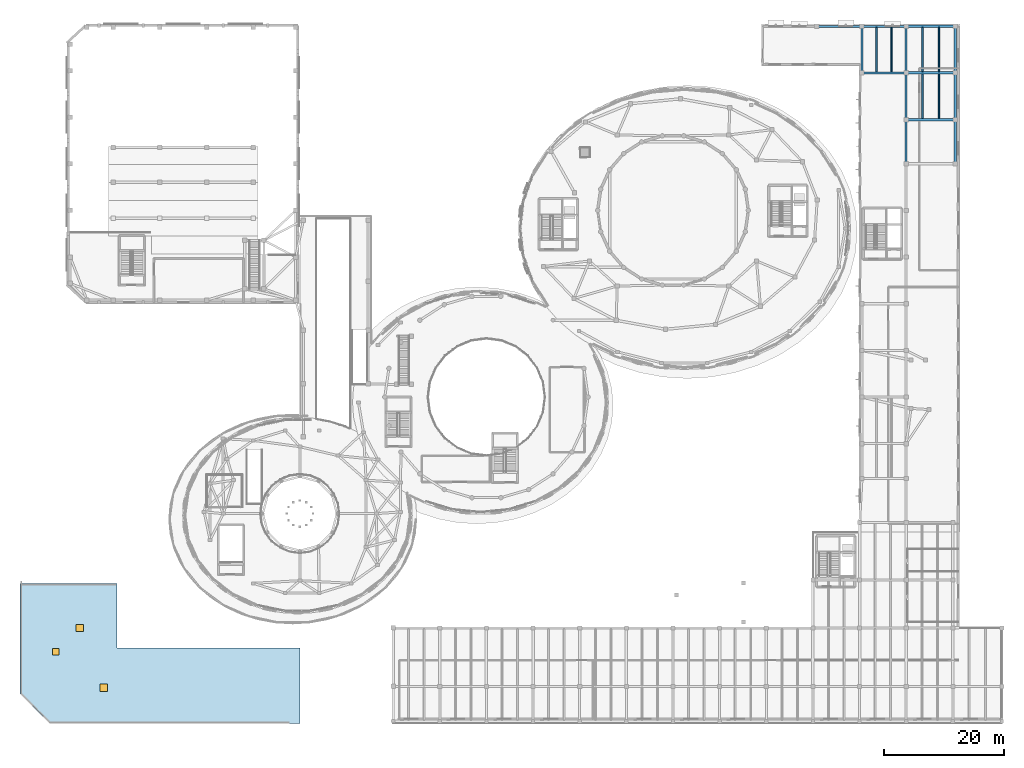
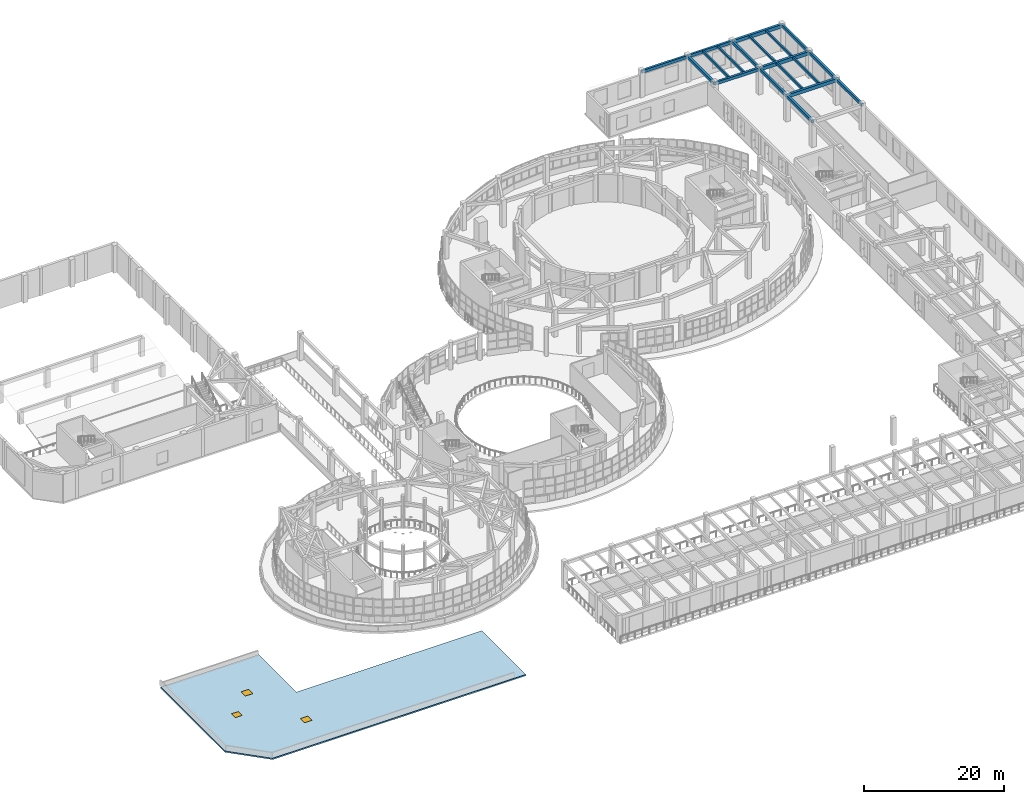
# One storey, part 55 of 98: 19 beams, 2 windows, 1 door, 1 slab, 3 openings.
"""IFC4 building model written with IfcOpenShell, lengths in metres."""

from ifc_helpers import new_model, si_unit, direction, frame, origin, origin_2d, place, context, subcontext, project, spatial, polyline, rectangle, outline, extrude, material, layer, layer_set, material_profile, profile_set, type_object, element, fill, save


model = new_model("IFC4")

# Units and contexts
model_context = context("Model", 3, precision=1e-05, world=origin(), true_north=direction((0.0, 1.0)))
body_context = subcontext(model_context, "Body", "Model", "MODEL_VIEW")
ifc_project = project(units=[si_unit("LENGTHUNIT", "METRE"), si_unit("AREAUNIT", "SQUARE_METRE"), si_unit("VOLUMEUNIT", "CUBIC_METRE"), si_unit("PLANEANGLEUNIT", "RADIAN"), si_unit("MASSUNIT", "GRAM", prefix="KILO")], contexts=[model_context])

# Site, building, storey
site_placement = place(None, origin())
site = spatial("IfcSite", under=ifc_project, at=site_placement, CompositionType="ELEMENT")
building_placement = place(site_placement, origin())
building = spatial("IfcBuilding", under=site, at=building_placement, Name="Pelvatis Terrace Science Centre", CompositionType="ELEMENT")
storey_placement = place(building_placement, frame((0.0, 0.0, 5.39990234375)))
storey = spatial("IfcBuildingStorey", under=building, at=storey_placement, Name="L01", CompositionType="ELEMENT", Elevation=5.39990234375)

# Beams
ifc_material_1 = material(Name="Concrete C35/45", Category="concrete")
ifc_material_profile_1 = material_profile(ifc_material_1, rectangle(XDim=0.340087890625, YDim=0.52001953125, at=origin_2d()), Name="RC-BM 340x520")
ifc_profile_set_1 = profile_set([ifc_material_profile_1], Name="Concrete C35/45")
beam_type_1 = type_object("IfcBeamType", Name="BM-RC-340x520", PredefinedType="BEAM", material=ifc_profile_set_1)
beam_1_placement = place(storey_placement, frame((133.199951171875, 116.60009765625, 4.280029296875), z_axis=(1.0, 0.0, 0.0), x_axis=(0.0, 1.0, 0.0)))
element("IfcBeam", 1, at=beam_1_placement, inside=storey, type_object=beam_type_1, Name="Beam BM-L01-2798", PredefinedType="BEAM", context=body_context, shape_type="SweptSolid", body=[
    extrude(rectangle(XDim=0.340087890625, YDim=0.52001953125, at=origin_2d()), origin(), (0.0, 0.0, 1.0), 7.60009765625),
])
beam_2_placement = place(storey_placement, frame((140.800048828125, 108.800048828125, 4.280029296875), z_axis=(0.0, 1.0, 0.0), x_axis=(-1.0, 0.0, 0.0)))
element("IfcBeam", 2, at=beam_2_placement, inside=storey, type_object=beam_type_1, Name="Beam BM-L01-2810", PredefinedType="BEAM", context=body_context, shape_type="SweptSolid", body=[
    extrude(rectangle(XDim=0.340087890625, YDim=0.52001953125, at=origin_2d()), origin(), (0.0, 0.0, 1.0), 7.800048828125),
])
for number, where, z_axis, x_axis, name in (
    (3, (140.800048828125, 108.800048828125, 4.280029296875), (1.0, 0.0, 0.0), (0.0, 1.0, 0.0), "Beam BM-L01-2811"),
    (4, (140.800048828125, 116.60009765625, 4.280029296875), (1.0, 0.0, 0.0), (0.0, 1.0, 0.0), "Beam BM-L01-2812"),
    (5, (148.199951171875, 93.60009765625, 4.280029296875), (0.0, 1.0, 0.0), (-1.0, 0.0, 0.0), "Beam BM-L01-2823"),
):
    element("IfcBeam", number, at=place(storey_placement, frame(where, z_axis=z_axis, x_axis=x_axis)), inside=storey, type_object=beam_type_1, Name=name, PredefinedType="BEAM", context=body_context, shape_type="SweptSolid", body=[
        extrude(rectangle(XDim=0.340087890625, YDim=0.52001953125, at=origin_2d()), origin(), (0.0, 0.0, 1.0), 7.39990234375),
    ])
for number, where, z_axis, x_axis, name in (
    (6, (148.199951171875, 101.0, 4.280029296875), (0.0, 1.0, 0.0), (-1.0, 0.0, 0.0), "Beam BM-L01-2825"),
    (7, (148.199951171875, 108.800048828125, 4.280029296875), (0.0, 1.0, 0.0), (-1.0, 0.0, 0.0), "Beam BM-L01-2827"),
):
    element("IfcBeam", number, at=place(storey_placement, frame(where, z_axis=z_axis, x_axis=x_axis)), inside=storey, type_object=beam_type_1, Name=name, PredefinedType="BEAM", context=body_context, shape_type="SweptSolid", body=[
        extrude(rectangle(XDim=0.340087890625, YDim=0.52001953125, at=origin_2d()), origin(), (0.0, 0.0, 1.0), 7.800048828125),
    ])
beam_3_placement = place(storey_placement, frame((156.39990234375, 93.60009765625, 4.280029296875), z_axis=(0.0, 1.0, 0.0), x_axis=(-1.0, 0.0, 0.0)))
element("IfcBeam", 8, at=beam_3_placement, inside=storey, type_object=beam_type_1, Name="Beam BM-L01-2830", PredefinedType="BEAM", context=body_context, shape_type="SweptSolid", body=[
    extrude(rectangle(XDim=0.340087890625, YDim=0.52001953125, at=origin_2d()), origin(), (0.0, 0.0, 1.0), 7.39990234375),
])
for number, where, z_axis, x_axis, name in (
    (9, (156.39990234375, 101.0, 4.280029296875), (0.0, 1.0, 0.0), (-1.0, 0.0, 0.0), "Beam BM-L01-2831"),
    (10, (156.39990234375, 108.800048828125, 4.280029296875), (0.0, 1.0, 0.0), (-1.0, 0.0, 0.0), "Beam BM-L01-2832"),
):
    element("IfcBeam", number, at=place(storey_placement, frame(where, z_axis=z_axis, x_axis=x_axis)), inside=storey, type_object=beam_type_1, Name=name, PredefinedType="BEAM", context=body_context, shape_type="SweptSolid", body=[
        extrude(rectangle(XDim=0.340087890625, YDim=0.52001953125, at=origin_2d()), origin(), (0.0, 0.0, 1.0), 7.800048828125),
    ])
ifc_material_2 = material(Name="Concrete C35/45", Category="concrete")
ifc_material_profile_2 = material_profile(ifc_material_2, rectangle(XDim=0.39990234375, YDim=0.60009765625, at=origin_2d()), Name="RC-BM 400x600")
ifc_profile_set_2 = profile_set([ifc_material_profile_2], Name="Concrete C35/45")
beam_type_2 = type_object("IfcBeamType", Name="BM-RC-400x600", PredefinedType="BEAM", material=ifc_profile_set_2)
for number, where, z_axis, x_axis, name in (
    (11, (148.199951171875, 101.0, 4.239990234375), (1.0, 0.0, 0.0), (0.0, 1.0, 0.0), "Beam BM-L01-2826"),
    (12, (148.199951171875, 108.800048828125, 4.239990234375), (1.0, 0.0, 0.0), (0.0, 1.0, 0.0), "Beam BM-L01-2828"),
    (13, (148.199951171875, 116.60009765625, 4.239990234375), (1.0, 0.0, 0.0), (0.0, 1.0, 0.0), "Beam BM-L01-2829"),
):
    element("IfcBeam", number, at=place(storey_placement, frame(where, z_axis=z_axis, x_axis=x_axis)), inside=storey, type_object=beam_type_2, Name=name, PredefinedType="BEAM", context=body_context, shape_type="SweptSolid", body=[
        extrude(rectangle(XDim=0.39990234375, YDim=0.60009765625, at=origin_2d()), origin(), (0.0, 0.0, 1.0), 8.199951171875),
    ])
ifc_material_3 = material(Name="Concrete C35/45", Category="concrete")
ifc_material_profile_3 = material_profile(ifc_material_3, rectangle(XDim=0.25, YDim=0.39990234375, at=origin_2d()), Name="RC-JST 250x400")
ifc_profile_set_3 = profile_set([ifc_material_profile_3], Name="Concrete C35/45")
beam_type_3 = type_object("IfcBeamType", Name="JST-RC-250x400", PredefinedType="JOIST", material=ifc_profile_set_3)
for number, where, z_axis, x_axis, name in (
    (14, (150.933349609375, 101.199951171875, 4.340087890625), (0.0, 1.0, 0.0), (-1.0, 0.0, 0.0), "Secondary floor joist J-L01-2145"),
    (15, (153.666748046875, 101.199951171875, 4.340087890625), (0.0, 1.0, 0.0), (-1.0, 0.0, 0.0), "Secondary floor joist J-L01-2146"),
):
    element("IfcBeam", number, at=place(storey_placement, frame(where, z_axis=z_axis, x_axis=x_axis)), inside=storey, type_object=beam_type_3, Name=name, PredefinedType="JOIST", context=body_context, shape_type="SweptSolid", body=[
        extrude(rectangle(XDim=0.25, YDim=0.39990234375, at=origin_2d()), origin(), (0.0, 0.0, 1.0), 7.400146484375),
    ])
for number, where, z_axis, x_axis, name in (
    (16, (143.2666015625, 108.969970703125, 4.340087890625), (0.0, 1.0, 0.0), (-1.0, 0.0, 0.0), "Secondary floor joist J-L01-2147"),
    (17, (145.7333984375, 108.969970703125, 4.340087890625), (0.0, 1.0, 0.0), (-1.0, 0.0, 0.0), "Secondary floor joist J-L01-2148"),
):
    element("IfcBeam", number, at=place(storey_placement, frame(where, z_axis=z_axis, x_axis=x_axis)), inside=storey, type_object=beam_type_3, Name=name, PredefinedType="JOIST", context=body_context, shape_type="SweptSolid", body=[
        extrude(rectangle(XDim=0.25, YDim=0.39990234375, at=origin_2d()), origin(), (0.0, 0.0, 1.0), 7.4599609375),
    ])
for number, where, z_axis, x_axis, name in (
    (18, (150.933349609375, 109.0, 4.340087890625), (0.0, 1.0, 0.0), (-1.0, 0.0, 0.0), "Secondary floor joist J-L01-2149"),
    (19, (153.666748046875, 109.0, 4.340087890625), (0.0, 1.0, 0.0), (-1.0, 0.0, 0.0), "Secondary floor joist J-L01-2150"),
):
    element("IfcBeam", number, at=place(storey_placement, frame(where, z_axis=z_axis, x_axis=x_axis)), inside=storey, type_object=beam_type_3, Name=name, PredefinedType="JOIST", context=body_context, shape_type="SweptSolid", body=[
        extrude(rectangle(XDim=0.25, YDim=0.39990234375, at=origin_2d()), origin(), (0.0, 0.0, 1.0), 7.39990234375),
    ])

# Slab, openings, windows, door
ifc_material_4 = material(Name="Concrete C35/45", Category="concrete")
ifc_layer = layer(ifc_material_4, 0.236083984375)
ifc_layer_set = layer_set([ifc_layer], Name="Concrete C35/45")
slab_type = type_object("IfcSlabType", Name="SLB-ROOF-236", PredefinedType="ROOF", material=ifc_layer_set)
slab_placement = place(storey_placement, frame((0.0, 0.0, -0.23583984375)))
slab = element("IfcSlab", 20, at=slab_placement, inside=storey, type_object=slab_type, Name="L01 Classical granite entrance portico roof slab", PredefinedType="ROOF", context=body_context, shape_type="SweptSolid", body=[
    extrude(outline(polyline([(0.0, 5.0), (0.0, 23.39990234375), (16.199951171875, 23.39990234375), (16.199951171875, 12.60009765625), (46.800048828125, 12.60009765625), (46.800048828125, 0.0), (5.0, 0.0), (0.0, 5.0)])), origin(), (0.0, 0.0, 1.0), 0.23583984375),
])
opening_1_placement = place(slab_placement, frame((14.0, 6.0, 0.0)))
opening_1 = element("IfcOpeningElement", 21, at=opening_1_placement, cuts=slab, Name="Opening LDM-05", PredefinedType="OPENING", context=body_context, shape_type="SweptSolid", body=[
    extrude(rectangle(XDim=1.199951171875, YDim=1.199951171875, at=origin_2d()), origin(), (0.0, 0.0, 1.0), 0.23583984375),
])
opening_2_placement = place(slab_placement, frame((10.0, 16.0, 0.0)))
opening_2 = element("IfcOpeningElement", 22, at=opening_2_placement, cuts=slab, Name="Opening LDM-06", PredefinedType="OPENING", context=body_context, shape_type="SweptSolid", body=[
    extrude(rectangle(XDim=1.199951171875, YDim=1.199951171875, at=origin_2d()), origin(), (0.0, 0.0, 1.0), 0.23583984375),
])
opening_3_placement = place(slab_placement, frame((6.0, 12.0, 0.0)))
opening_3 = element("IfcOpeningElement", 23, at=opening_3_placement, cuts=slab, Name="Opening TD-01", PredefinedType="OPENING", context=body_context, shape_type="SweptSolid", body=[
    extrude(rectangle(XDim=1.10009765625, YDim=1.10009765625, at=origin_2d()), origin(), (0.0, 0.0, 1.0), 0.23583984375),
])
ifc_material_5 = material(Name="Bronze-anodised aluminium and laminated low-e glass", Category="aluminium")
window_type = type_object("IfcWindowType", Name="LDM-OCU-1200x1200", PartitioningType="SINGLE_PANEL", PredefinedType="LIGHTDOME", material=ifc_material_5)
window_1_placement = place(opening_1_placement, frame((0.0, 0.0, 0.185791015625)))
window_1 = element("IfcWindow", 24, at=window_1_placement, inside=storey, type_object=window_type, Name="Roof lightdome LDM-05", OverallHeight=1.199951171875, OverallWidth=1.199951171875, PartitioningType="SINGLE_PANEL", PredefinedType="LIGHTDOME", context=body_context, shape_type="SweptSolid", body=[
    extrude(rectangle(XDim=1.199951171875, YDim=1.199951171875, at=origin_2d()), origin(), (0.0, 0.0, 1.0), 0.050048828125),
])
fill(opening_1, window_1)
window_2_placement = place(opening_2_placement, frame((0.0, 0.0, 0.185791015625)))
window_2 = element("IfcWindow", 25, at=window_2_placement, inside=storey, type_object=window_type, Name="Roof lightdome LDM-06", OverallHeight=1.199951171875, OverallWidth=1.199951171875, PartitioningType="SINGLE_PANEL", PredefinedType="LIGHTDOME", context=body_context, shape_type="SweptSolid", body=[
    extrude(rectangle(XDim=1.199951171875, YDim=1.199951171875, at=origin_2d()), origin(), (0.0, 0.0, 1.0), 0.050048828125),
])
fill(opening_2, window_2)
ifc_material_6 = material(Name="Insulated aluminium roof maintenance access hatch", Category="aluminium")
door_type = type_object("IfcDoorType", Name="TD-ROOF-1100x1100", OperationType="NOTDEFINED", PredefinedType="TRAPDOOR", material=ifc_material_6)
door_placement = place(opening_3_placement, frame((0.0, 0.0, 0.185791015625)))
door = element("IfcDoor", 26, at=door_placement, inside=storey, type_object=door_type, Name="Roof maintenance access hatch TD-01", OperationType="SINGLE_SWING_LEFT", OverallHeight=1.10009765625, OverallWidth=1.10009765625, PredefinedType="TRAPDOOR", context=body_context, shape_type="SweptSolid", body=[
    extrude(rectangle(XDim=1.10009765625, YDim=1.10009765625, at=origin_2d()), origin(), (0.0, 0.0, 1.0), 0.050048828125),
])
fill(opening_3, door)

save(model, "model.ifc")
